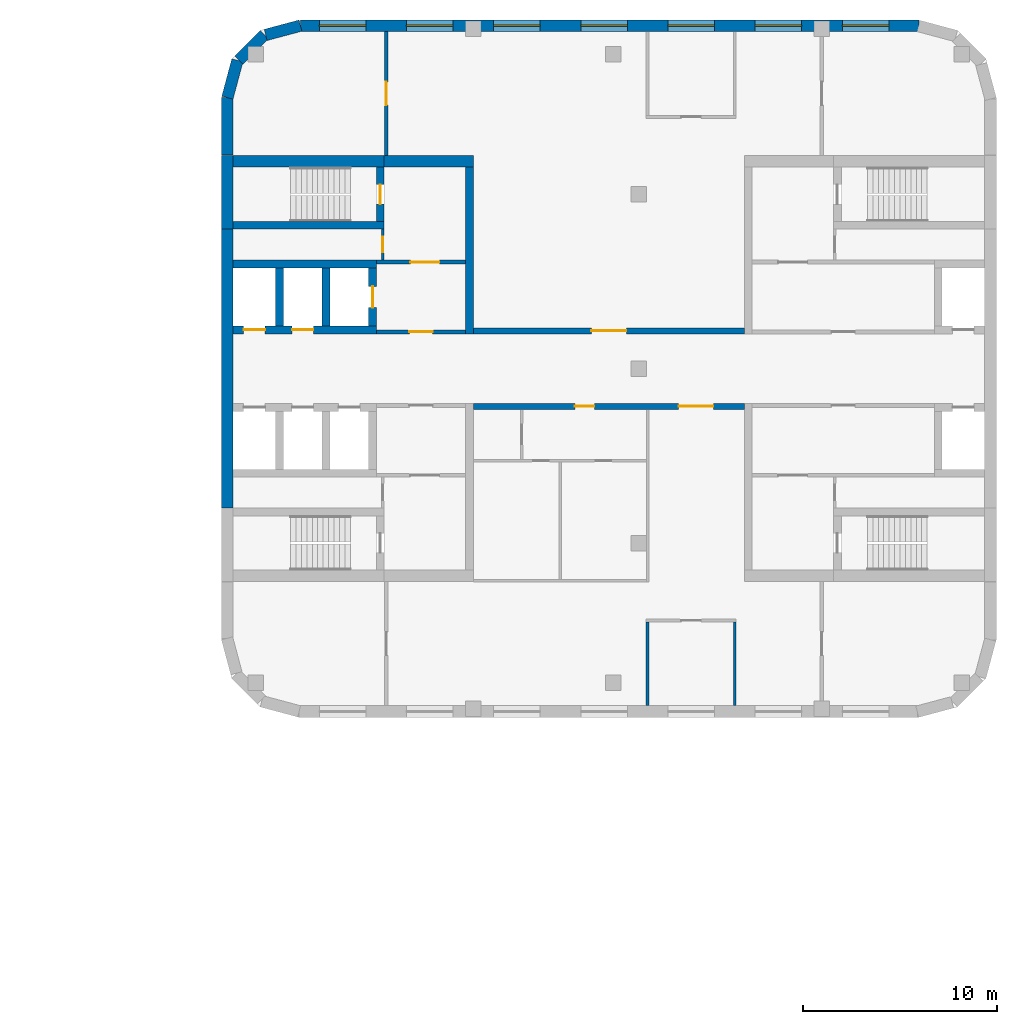
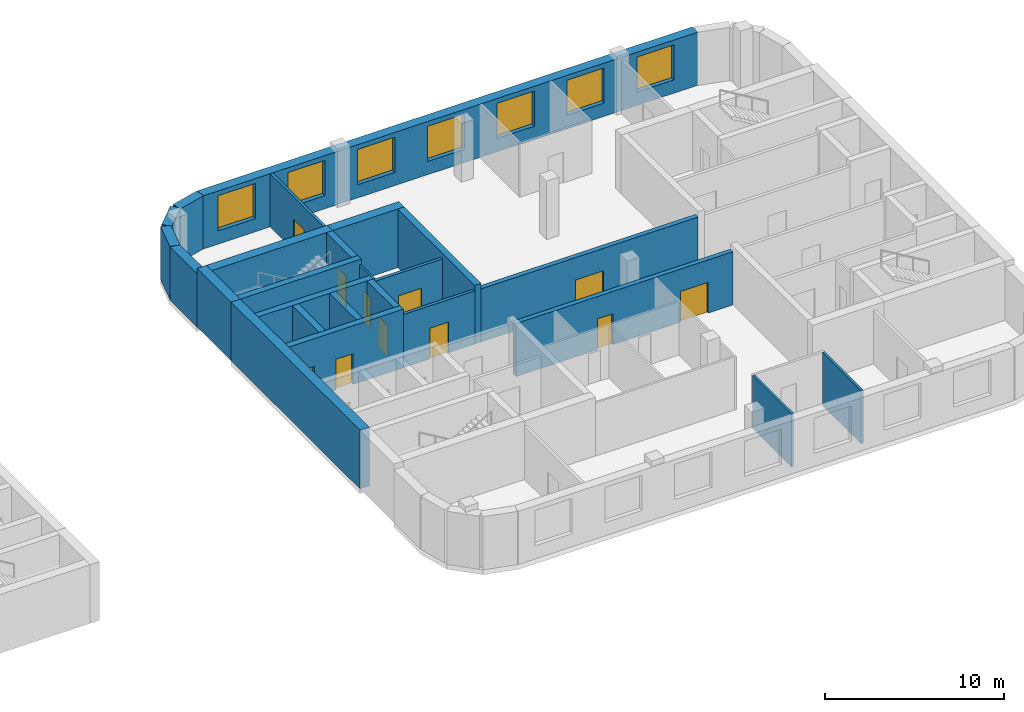
# One storey, part 8 of 12: 25 walls, 11 doors, 7 windows, 18 openings.
"""IFC4 building model written with IfcOpenShell, lengths in metres."""

from ifc_helpers import new_model, si_unit, direction, frame, frame_2d, origin, place, context, subcontext, project, spatial, rectangle, extrude, material, layer, layer_set, type_object, element, fill, save


model = new_model("IFC4")

# Units and contexts
model_context = context("Model", 3, precision=1e-05, world=origin(), true_north=direction((0.0, 1.0)))
body_context = subcontext(model_context, "Body", "Model", "MODEL_VIEW")
ifc_project = project(units=[si_unit("LENGTHUNIT", "METRE"), si_unit("AREAUNIT", "SQUARE_METRE"), si_unit("VOLUMEUNIT", "CUBIC_METRE"), si_unit("PLANEANGLEUNIT", "RADIAN"), si_unit("MASSUNIT", "GRAM", prefix="KILO")], contexts=[model_context])

# Site, building, storey
site_placement = place(None, origin())
site = spatial("IfcSite", under=ifc_project, at=site_placement, CompositionType="ELEMENT")
building_placement = place(site_placement, origin())
building = spatial("IfcBuilding", under=site, at=building_placement, Name="Skarvind Civic Tower", CompositionType="ELEMENT")
storey_placement = place(building_placement, frame((0.0, 0.0, 51.5)))
storey = spatial("IfcBuildingStorey", under=building, at=storey_placement, Name="L11", CompositionType="ELEMENT", Elevation=51.5)

# Wall, opening, door
ifc_material_1 = material(Name="Acoustic gypsum board on steel studs", Category="steel")
ifc_layer_1 = layer(ifc_material_1, 0.175048828125)
ifc_layer_set_1 = layer_set([ifc_layer_1], Name="ACOUSTIC MEETING-ROOM PARTITION 175")
wall_type_1 = type_object("IfcWallType", Name="ACOUSTIC MEETING-ROOM PARTITION 175", PredefinedType="PARTITIONING", material=ifc_layer_set_1)
wall_1_placement = place(storey_placement, frame((135.5, 145.39990234375, 0.0), z_axis=(0.0, 0.0, 1.0), x_axis=(0.0, -1.0, 0.0)))
wall_1 = element("IfcWall", 1, at=wall_1_placement, inside=storey, type_object=wall_type_1, Name="Partition 11.002", PredefinedType="PARTITIONING", context=body_context, shape_type="SweptSolid", body=[
    extrude(rectangle(XDim=6.39990234375, YDim=0.175048828125, at=frame_2d((3.199951171875, 0.0))), origin(), (0.0, 0.0, 1.0), 3.625),
])
opening_1_placement = place(wall_1_placement, frame((2.60009765625, 0.0, 0.0)))
opening_1 = element("IfcOpeningElement", 2, at=opening_1_placement, cuts=wall_1, Name="Opening L11-D103", PredefinedType="OPENING", context=body_context, shape_type="SweptSolid", body=[
    extrude(rectangle(XDim=1.199951171875, YDim=2.10009765625, at=frame_2d((0.60009765625, 1.050048828125))), frame((0.0, 0.097412109375, 0.0), z_axis=(0.0, -1.0, 0.0), x_axis=(1.0, 0.0, 0.0)), (0.0, 0.0, 1.0), 0.195068359375),
])
ifc_material_2 = material(Name="Timber door leaf", Category="wood")
door_type_1 = type_object("IfcDoorType", Name="DOOR 1200X2100 DOUBLE TIMBER", OperationType="NOTDEFINED", PredefinedType="DOOR", material=ifc_material_2)
door_1_placement = place(opening_1_placement, origin())
door_1 = element("IfcDoor", 3, at=door_1_placement, inside=storey, type_object=door_type_1, Name="Door L11-D103", OperationType="DOUBLE_DOOR_SINGLE_SWING", OverallHeight=2.10009765625, OverallWidth=1.199951171875, PredefinedType="DOOR", context=body_context, shape_type="SweptSolid", body=[
    extrude(rectangle(XDim=1.199951171875, YDim=2.10009765625, at=frame_2d((0.60009765625, 1.050048828125))), frame((0.0, 0.02490234375, 0.0), z_axis=(0.0, -1.0, 0.0), x_axis=(1.0, 0.0, 0.0)), (0.0, 0.0, 1.0), 0.050048828125),
])
fill(opening_1, door_1)

ifc_material_3 = material(Name="Fire-rated gypsum board on steel studs", Category="steel")
ifc_layer_2 = layer(ifc_material_3, 0.300048828125)
ifc_layer_set_2 = layer_set([ifc_layer_2], Name="CORRIDOR WALL 300")
wall_type_2 = type_object("IfcWallType", Name="CORRIDOR WALL 300", PredefinedType="PARTITIONING", material=ifc_layer_set_2)
wall_2_placement = place(storey_placement, frame((140.0, 129.949951171875, 0.0), z_axis=(0.0, 0.0, 1.0), x_axis=(1.0, 0.0, 0.0)))
wall_2 = element("IfcWall", 4, at=wall_2_placement, inside=storey, type_object=wall_type_2, Name="Partition 11.005", PredefinedType="PARTITIONING", context=body_context, shape_type="SweptSolid", body=[
    extrude(rectangle(XDim=14.0, YDim=0.300048828125, at=frame_2d((7.0, 0.0))), origin(), (0.0, 0.0, 1.0), 3.625),
])
opening_2_placement = place(wall_2_placement, frame((6.10009765625, 0.0, 0.0)))
opening_2 = element("IfcOpeningElement", 5, at=opening_2_placement, cuts=wall_2, Name="Opening L11-D101", PredefinedType="OPENING", context=body_context, shape_type="SweptSolid", body=[
    extrude(rectangle(XDim=1.800048828125, YDim=2.10009765625, at=frame_2d((0.89990234375, 1.050048828125))), frame((0.0, 0.159912109375, 0.0), z_axis=(0.0, -1.0, 0.0), x_axis=(1.0, 0.0, 0.0)), (0.0, 0.0, 1.0), 0.320068359375),
])
ifc_material_4 = material(Name="Fire-rated timber door leaf", Category="wood")
door_type_2 = type_object("IfcDoorType", Name="FD4 1800x2100", OperationType="NOTDEFINED", PredefinedType="DOOR", material=ifc_material_4)
door_2_placement = place(opening_2_placement, origin())
door_2 = element("IfcDoor", 6, at=door_2_placement, inside=storey, type_object=door_type_2, Name="Door L11-D101", OperationType="DOUBLE_DOOR_SINGLE_SWING", OverallHeight=2.10009765625, OverallWidth=1.800048828125, PredefinedType="DOOR", context=body_context, shape_type="SweptSolid", body=[
    extrude(rectangle(XDim=1.800048828125, YDim=2.10009765625, at=frame_2d((0.89990234375, 1.050048828125))), frame((0.0, 0.02490234375, 0.0), z_axis=(0.0, -1.0, 0.0), x_axis=(1.0, 0.0, 0.0)), (0.0, 0.0, 1.0), 0.050048828125),
])
fill(opening_2, door_2)

# Wall, openings, doors
wall_3_placement = place(storey_placement, frame((154.0, 126.050048828125, 0.0), z_axis=(0.0, 0.0, 1.0), x_axis=(-1.0, 0.0, 0.0)))
wall_3 = element("IfcWall", 7, at=wall_3_placement, inside=storey, type_object=wall_type_2, Name="Partition 11.015", PredefinedType="PARTITIONING", context=body_context, shape_type="SweptSolid", body=[
    extrude(rectangle(XDim=14.0, YDim=0.300048828125, at=frame_2d((7.0, 0.0))), origin(), (0.0, 0.0, 1.0), 3.625),
])
opening_3_placement = place(wall_3_placement, frame((7.75, 0.0, 0.0)))
opening_3 = element("IfcOpeningElement", 8, at=opening_3_placement, cuts=wall_3, Name="Opening L11-D105", PredefinedType="OPENING", context=body_context, shape_type="SweptSolid", body=[
    extrude(rectangle(XDim=1.0, YDim=2.10009765625, at=frame_2d((0.5, 1.050048828125))), frame((0.0, 0.159912109375, 0.0), z_axis=(0.0, -1.0, 0.0), x_axis=(1.0, 0.0, 0.0)), (0.0, 0.0, 1.0), 0.320068359375),
])
opening_4_placement = place(wall_3_placement, frame((1.60009765625, 0.0, 0.0)))
opening_4 = element("IfcOpeningElement", 9, at=opening_4_placement, cuts=wall_3, Name="Opening L11-D109", PredefinedType="OPENING", context=body_context, shape_type="SweptSolid", body=[
    extrude(rectangle(XDim=1.800048828125, YDim=2.10009765625, at=frame_2d((0.89990234375, 1.050048828125))), frame((0.0, 0.159912109375, 0.0), z_axis=(0.0, -1.0, 0.0), x_axis=(1.0, 0.0, 0.0)), (0.0, 0.0, 1.0), 0.320068359375),
])
door_type_3 = type_object("IfcDoorType", Name="FD1 1000x2100", OperationType="NOTDEFINED", PredefinedType="DOOR", material=ifc_material_4)
door_3_placement = place(opening_3_placement, origin())
door_3 = element("IfcDoor", 10, at=door_3_placement, inside=storey, type_object=door_type_3, Name="Door L11-D105", OperationType="SINGLE_SWING_RIGHT", OverallHeight=2.10009765625, OverallWidth=1.0, PredefinedType="DOOR", context=body_context, shape_type="SweptSolid", body=[
    extrude(rectangle(XDim=1.0, YDim=2.10009765625, at=frame_2d((0.5, 1.050048828125))), frame((0.0, 0.02490234375, 0.0), z_axis=(0.0, -1.0, 0.0), x_axis=(1.0, 0.0, 0.0)), (0.0, 0.0, 1.0), 0.050048828125),
])
fill(opening_3, door_3)
door_4_placement = place(opening_4_placement, origin())
door_4 = element("IfcDoor", 11, at=door_4_placement, inside=storey, type_object=door_type_2, Name="Door L11-D109", OperationType="DOUBLE_DOOR_SINGLE_SWING", OverallHeight=2.10009765625, OverallWidth=1.800048828125, PredefinedType="DOOR", context=body_context, shape_type="SweptSolid", body=[
    extrude(rectangle(XDim=1.800048828125, YDim=2.10009765625, at=frame_2d((0.89990234375, 1.050048828125))), frame((0.0, 0.02490234375, 0.0), z_axis=(0.0, -1.0, 0.0), x_axis=(1.0, 0.0, 0.0)), (0.0, 0.0, 1.0), 0.050048828125),
])
fill(opening_4, door_4)

# Wall, opening, door
ifc_material_5 = material(Name="Fire-rated masonry partition", Category="masonry")
ifc_layer_3 = layer(ifc_material_5, 0.199951171875)
ifc_layer_set_3 = layer_set([ifc_layer_3], Name="Core enclosure wall 200")
wall_type_3 = type_object("IfcWallType", Name="Core enclosure wall 200", PredefinedType="PARTITIONING", material=ifc_layer_set_3)
wall_4_placement = place(storey_placement, frame((135.0, 129.89990234375, 0.0), z_axis=(0.0, 0.0, 1.0), x_axis=(1.0, 0.0, 0.0)))
wall_4 = element("IfcWall", 12, at=wall_4_placement, inside=storey, type_object=wall_type_3, Name="Core wall CA", PredefinedType="PARTITIONING", context=body_context, shape_type="SweptSolid", body=[
    extrude(rectangle(XDim=4.60009765625, YDim=0.199951171875, at=frame_2d((2.300048828125, 0.0))), origin(), (0.0, 0.0, 1.0), 3.625),
])
opening_5_placement = place(wall_4_placement, frame((1.699951171875, 0.0, 0.0)))
opening_5 = element("IfcOpeningElement", 13, at=opening_5_placement, cuts=wall_4, Name="Opening D-L11-CA-06", PredefinedType="OPENING", context=body_context, shape_type="SweptSolid", body=[
    extrude(rectangle(XDim=1.199951171875, YDim=2.10009765625, at=frame_2d((0.60009765625, 1.050048828125))), frame((0.0, 0.10986328125, 0.0), z_axis=(0.0, -1.0, 0.0), x_axis=(1.0, 0.0, 0.0)), (0.0, 0.0, 1.0), 0.219970703125),
])
ifc_material_6 = material(Name="Fire-rated steel door", Category="steel")
door_type_4 = type_object("IfcDoorType", Name="Core lobby door 1200", OperationType="NOTDEFINED", PredefinedType="DOOR", material=ifc_material_6)
door_5_placement = place(opening_5_placement, origin())
door_5 = element("IfcDoor", 14, at=door_5_placement, inside=storey, type_object=door_type_4, Name="Fire door", OperationType="DOUBLE_DOOR_SINGLE_SWING", OverallHeight=2.10009765625, OverallWidth=1.199951171875, PredefinedType="DOOR", context=body_context, shape_type="SweptSolid", body=[
    extrude(rectangle(XDim=1.199951171875, YDim=2.10009765625, at=frame_2d((0.60009765625, 1.050048828125))), frame((0.0, 0.02490234375, 0.0), z_axis=(0.0, -1.0, 0.0), x_axis=(1.0, 0.0, 0.0)), (0.0, 0.0, 1.0), 0.050048828125),
])
fill(opening_5, door_5)

wall_5_placement = place(storey_placement, frame((135.0, 133.5, 0.0), z_axis=(0.0, 0.0, 1.0), x_axis=(1.0, 0.0, 0.0)))
wall_5 = element("IfcWall", 15, at=wall_5_placement, inside=storey, type_object=wall_type_3, Name="Core wall CA", PredefinedType="PARTITIONING", context=body_context, shape_type="SweptSolid", body=[
    extrude(rectangle(XDim=4.60009765625, YDim=0.199951171875, at=frame_2d((2.300048828125, 0.0))), origin(), (0.0, 0.0, 1.0), 3.625),
])
opening_6_placement = place(wall_5_placement, frame((1.75, 0.0, 0.0)))
opening_6 = element("IfcOpeningElement", 16, at=opening_6_placement, cuts=wall_5, Name="Opening D-L11-CA-07", PredefinedType="OPENING", context=body_context, shape_type="SweptSolid", body=[
    extrude(rectangle(XDim=1.5, YDim=2.10009765625, at=frame_2d((0.75, 1.050048828125))), frame((0.0, 0.10986328125, 0.0), z_axis=(0.0, -1.0, 0.0), x_axis=(1.0, 0.0, 0.0)), (0.0, 0.0, 1.0), 0.219970703125),
])
door_type_5 = type_object("IfcDoorType", Name="Fire door 1500", OperationType="NOTDEFINED", PredefinedType="DOOR", material=ifc_material_6)
door_6_placement = place(opening_6_placement, origin())
door_6 = element("IfcDoor", 17, at=door_6_placement, inside=storey, type_object=door_type_5, Name="Fire door", OperationType="DOUBLE_DOOR_SINGLE_SWING", OverallHeight=2.10009765625, OverallWidth=1.5, PredefinedType="DOOR", context=body_context, shape_type="SweptSolid", body=[
    extrude(rectangle(XDim=1.5, YDim=2.10009765625, at=frame_2d((0.75, 1.050048828125))), frame((0.0, 0.02490234375, 0.0), z_axis=(0.0, -1.0, 0.0), x_axis=(1.0, 0.0, 0.0)), (0.0, 0.0, 1.0), 0.050048828125),
])
fill(opening_6, door_6)

# Wall
ifc_material_7 = material(Name="Concrete C80", Category="concrete")
ifc_layer_4 = layer(ifc_material_7, 0.39990234375)
ifc_layer_set_4 = layer_set([ifc_layer_4], Name="Core wall 400 C80")
wall_type_4 = type_object("IfcWallType", Name="Core wall 400 C80", PredefinedType="SHEAR", material=ifc_layer_set_4)
wall_6_placement = place(storey_placement, frame((127.60009765625, 135.39990234375, 0.0), z_axis=(0.0, 0.0, 1.0), x_axis=(1.0, 0.0, 0.0)))
element("IfcWall", 18, at=wall_6_placement, inside=storey, type_object=wall_type_4, Name="Core wall CA north stair inner L11", PredefinedType="SHEAR", context=body_context, shape_type="SweptSolid", body=[
    extrude(rectangle(XDim=7.7998046875, YDim=0.39990234375, at=frame_2d((3.89990234375, 0.0))), origin(), (0.0, 0.0, 1.0), 4.0),
])

# Wall, opening, door
wall_7_placement = place(storey_placement, frame((135.199951171875, 135.60009765625, 0.0), z_axis=(0.0, 0.0, 1.0), x_axis=(0.0, 1.0, 0.0)))
wall_7 = element("IfcWall", 19, at=wall_7_placement, inside=storey, type_object=wall_type_4, Name="Core wall CA north stair end L11", PredefinedType="SHEAR", context=body_context, shape_type="SweptSolid", body=[
    extrude(rectangle(XDim=2.7998046875, YDim=0.39990234375, at=frame_2d((1.39990234375, 0.0))), origin(), (0.0, 0.0, 1.0), 4.0),
])
opening_7_placement = place(wall_7_placement, frame((0.89990234375, 0.0, 0.0)))
opening_7 = element("IfcOpeningElement", 20, at=opening_7_placement, cuts=wall_7, Name="Opening D-L11-CA-08", PredefinedType="OPENING", context=body_context, shape_type="SweptSolid", body=[
    extrude(rectangle(XDim=1.0, YDim=2.10009765625, at=frame_2d((0.5, 1.050048828125))), frame((0.0, 0.2099609375, 0.0), z_axis=(0.0, -1.0, 0.0), x_axis=(1.0, 0.0, 0.0)), (0.0, 0.0, 1.0), 0.419921875),
])
door_type_6 = type_object("IfcDoorType", Name="Fire door 1000", OperationType="NOTDEFINED", PredefinedType="DOOR", material=ifc_material_6)
door_7_placement = place(opening_7_placement, origin())
door_7 = element("IfcDoor", 21, at=door_7_placement, inside=storey, type_object=door_type_6, Name="Fire door", OperationType="SINGLE_SWING_LEFT", OverallHeight=2.10009765625, OverallWidth=1.0, PredefinedType="DOOR", context=body_context, shape_type="SweptSolid", body=[
    extrude(rectangle(XDim=1.0, YDim=2.10009765625, at=frame_2d((0.5, 1.050048828125))), frame((0.0, 0.02490234375, 0.0), z_axis=(0.0, -1.0, 0.0), x_axis=(1.0, 0.0, 0.0)), (0.0, 0.0, 1.0), 0.050048828125),
])
fill(opening_7, door_7)

# Wall, openings, doors
wall_8_placement = place(storey_placement, frame((127.60009765625, 130.0, 0.0), z_axis=(0.0, 0.0, 1.0), x_axis=(1.0, 0.0, 0.0)))
wall_8 = element("IfcWall", 22, at=wall_8_placement, inside=storey, type_object=wall_type_4, Name="Core wall CA north lift row front L11", PredefinedType="SHEAR", context=body_context, shape_type="SweptSolid", body=[
    extrude(rectangle(XDim=7.39990234375, YDim=0.39990234375, at=frame_2d((3.699951171875, 0.0))), origin(), (0.0, 0.0, 1.0), 4.0),
])
opening_8_placement = place(wall_8_placement, frame((0.550048828125, 0.0, 0.0)))
opening_8 = element("IfcOpeningElement", 23, at=opening_8_placement, cuts=wall_8, Name="Opening LD13301", PredefinedType="OPENING", context=body_context, shape_type="SweptSolid", body=[
    extrude(rectangle(XDim=1.10009765625, YDim=2.10009765625, at=frame_2d((0.550048828125, 1.050048828125))), frame((0.0, 0.2099609375, 0.0), z_axis=(0.0, -1.0, 0.0), x_axis=(1.0, 0.0, 0.0)), (0.0, 0.0, 1.0), 0.419921875),
])
opening_9_placement = place(wall_8_placement, frame((3.050048828125, 0.0, 0.0)))
opening_9 = element("IfcOpeningElement", 24, at=opening_9_placement, cuts=wall_8, Name="Opening LD13302", PredefinedType="OPENING", context=body_context, shape_type="SweptSolid", body=[
    extrude(rectangle(XDim=1.10009765625, YDim=2.10009765625, at=frame_2d((0.550048828125, 1.050048828125))), frame((0.0, 0.2099609375, 0.0), z_axis=(0.0, -1.0, 0.0), x_axis=(1.0, 0.0, 0.0)), (0.0, 0.0, 1.0), 0.419921875),
])
ifc_material_8 = material(Name="Stainless steel landing door", Category="steel")
door_type_7 = type_object("IfcDoorType", Name="Lift landing door 1100", OperationType="DOUBLE_DOOR_SLIDING", PredefinedType="DOOR", material=ifc_material_8)
door_8_placement = place(opening_8_placement, origin())
door_8 = element("IfcDoor", 25, at=door_8_placement, inside=storey, type_object=door_type_7, Name="Lift landing door", OperationType="DOUBLE_DOOR_SLIDING", OverallHeight=2.10009765625, OverallWidth=1.10009765625, PredefinedType="DOOR", context=body_context, shape_type="SweptSolid", body=[
    extrude(rectangle(XDim=1.10009765625, YDim=2.10009765625, at=frame_2d((0.550048828125, 1.050048828125))), frame((0.0, 0.02490234375, 0.0), z_axis=(0.0, -1.0, 0.0), x_axis=(1.0, 0.0, 0.0)), (0.0, 0.0, 1.0), 0.050048828125),
])
fill(opening_8, door_8)
door_9_placement = place(opening_9_placement, origin())
door_9 = element("IfcDoor", 26, at=door_9_placement, inside=storey, type_object=door_type_7, Name="Lift landing door", OperationType="DOUBLE_DOOR_SLIDING", OverallHeight=2.10009765625, OverallWidth=1.10009765625, PredefinedType="DOOR", context=body_context, shape_type="SweptSolid", body=[
    extrude(rectangle(XDim=1.10009765625, YDim=2.10009765625, at=frame_2d((0.550048828125, 1.050048828125))), frame((0.0, 0.02490234375, 0.0), z_axis=(0.0, -1.0, 0.0), x_axis=(1.0, 0.0, 0.0)), (0.0, 0.0, 1.0), 0.050048828125),
])
fill(opening_9, door_9)

# Walls
wall_9_placement = place(storey_placement, frame((127.60009765625, 133.39990234375, 0.0), z_axis=(0.0, 0.0, 1.0), x_axis=(1.0, 0.0, 0.0)))
element("IfcWall", 27, at=wall_9_placement, inside=storey, type_object=wall_type_4, Name="Core wall CA north lift row back L11", PredefinedType="SHEAR", context=body_context, shape_type="SweptSolid", body=[
    extrude(rectangle(XDim=7.39990234375, YDim=0.39990234375, at=frame_2d((3.699951171875, 0.0))), origin(), (0.0, 0.0, 1.0), 4.0),
])
for number, where, z_axis, x_axis, name in (
    (28, (130.0, 130.199951171875, 0.0), (0.0, 0.0, 1.0), (0.0, 1.0, 0.0), "Core wall CA north lift row division 1 L11"),
    (29, (132.39990234375, 130.199951171875, 0.0), (0.0, 0.0, 1.0), (0.0, 1.0, 0.0), "Core wall CA north lift row division 2 L11"),
):
    element("IfcWall", number, at=place(storey_placement, frame(where, z_axis=z_axis, x_axis=x_axis)), inside=storey, type_object=wall_type_4, Name=name, PredefinedType="SHEAR", context=body_context, shape_type="SweptSolid", body=[
        extrude(rectangle(XDim=3.0, YDim=0.39990234375, at=frame_2d((1.5, 0.0))), origin(), (0.0, 0.0, 1.0), 4.0),
    ])

# Wall, opening, door
wall_10_placement = place(storey_placement, frame((134.800048828125, 130.199951171875, 0.0), z_axis=(0.0, 0.0, 1.0), x_axis=(0.0, 1.0, 0.0)))
wall_10 = element("IfcWall", 30, at=wall_10_placement, inside=storey, type_object=wall_type_4, Name="Core wall CA north lift row division 3 L11", PredefinedType="SHEAR", context=body_context, shape_type="SweptSolid", body=[
    extrude(rectangle(XDim=3.0, YDim=0.39990234375, at=frame_2d((1.5, 0.0))), origin(), (0.0, 0.0, 1.0), 4.0),
])
opening_10_placement = place(wall_10_placement, frame((0.949951171875, 0.0, 0.0)))
opening_10 = element("IfcOpeningElement", 31, at=opening_10_placement, cuts=wall_10, Name="Opening LD13303", PredefinedType="OPENING", context=body_context, shape_type="SweptSolid", body=[
    extrude(rectangle(XDim=1.10009765625, YDim=2.10009765625, at=frame_2d((0.550048828125, 1.050048828125))), frame((0.0, 0.2099609375, 0.0), z_axis=(0.0, -1.0, 0.0), x_axis=(1.0, 0.0, 0.0)), (0.0, 0.0, 1.0), 0.419921875),
])
door_10_placement = place(opening_10_placement, origin())
door_10 = element("IfcDoor", 32, at=door_10_placement, inside=storey, type_object=door_type_7, Name="Lift landing door", OperationType="DOUBLE_DOOR_SLIDING", OverallHeight=2.10009765625, OverallWidth=1.10009765625, PredefinedType="DOOR", context=body_context, shape_type="SweptSolid", body=[
    extrude(rectangle(XDim=1.10009765625, YDim=2.10009765625, at=frame_2d((0.550048828125, 1.050048828125))), frame((0.0, 0.02490234375, 0.0), z_axis=(0.0, -1.0, 0.0), x_axis=(1.0, 0.0, 0.0)), (0.0, 0.0, 1.0), 0.050048828125),
])
fill(opening_10, door_10)

# Walls
wall_11_placement = place(storey_placement, frame((139.800048828125, 129.800048828125, 0.0), z_axis=(0.0, 0.0, 1.0), x_axis=(0.0, 1.0, 0.0)))
element("IfcWall", 33, at=wall_11_placement, inside=storey, type_object=wall_type_4, Name="Core wall CA north inner face L11", PredefinedType="SHEAR", context=body_context, shape_type="SweptSolid", body=[
    extrude(rectangle(XDim=8.599853515625, YDim=0.39990234375, at=frame_2d((4.2998046875, 0.0))), origin(), (0.0, 0.0, 1.0), 4.0),
])
ifc_layer_5 = layer(ifc_material_7, 0.60009765625)
ifc_layer_set_5 = layer_set([ifc_layer_5], Name="Core wall 600 C80")
wall_type_5 = type_object("IfcWallType", Name="Core wall 600 C80", PredefinedType="SHEAR", material=ifc_layer_set_5)
wall_12_placement = place(storey_placement, frame((127.300048828125, 120.800048828125, 0.0), z_axis=(0.0, 0.0, 1.0), x_axis=(0.0, 1.0, 0.0)))
element("IfcWall", 34, at=wall_12_placement, inside=storey, type_object=wall_type_5, Name="Core wall CA tip between the stairs L11", PredefinedType="SHEAR", context=body_context, shape_type="SweptSolid", body=[
    extrude(rectangle(XDim=14.39990234375, YDim=0.60009765625, at=frame_2d((7.199951171875, 0.0))), origin(), (0.0, 0.0, 1.0), 4.0),
])
wall_13_placement = place(storey_placement, frame((127.300048828125, 135.199951171875, 0.0), z_axis=(0.0, 0.0, 1.0), x_axis=(0.0, 1.0, 0.0)))
element("IfcWall", 35, at=wall_13_placement, inside=storey, type_object=wall_type_5, Name="Core wall CA tip at the north stair L11", PredefinedType="SHEAR", context=body_context, shape_type="SweptSolid", body=[
    extrude(rectangle(XDim=3.800048828125, YDim=0.60009765625, at=frame_2d((1.89990234375, 0.0))), origin(), (0.0, 0.0, 1.0), 4.0),
])
wall_14_placement = place(storey_placement, frame((127.60009765625, 138.699951171875, 0.0), z_axis=(0.0, 0.0, 1.0), x_axis=(1.0, 0.0, 0.0)))
element("IfcWall", 36, at=wall_14_placement, inside=storey, type_object=wall_type_5, Name="Core wall CA north side at the stair L11", PredefinedType="SHEAR", context=body_context, shape_type="SweptSolid", body=[
    extrude(rectangle(XDim=7.7998046875, YDim=0.60009765625, at=frame_2d((3.89990234375, 0.0))), origin(), (0.0, 0.0, 1.0), 4.0),
])
wall_15_placement = place(storey_placement, frame((135.39990234375, 138.699951171875, 0.0), z_axis=(0.0, 0.0, 1.0), x_axis=(1.0, 0.0, 0.0)))
element("IfcWall", 37, at=wall_15_placement, inside=storey, type_object=wall_type_5, Name="Core wall CA north side L11", PredefinedType="SHEAR", context=body_context, shape_type="SweptSolid", body=[
    extrude(rectangle(XDim=4.60009765625, YDim=0.60009765625, at=frame_2d((2.300048828125, 0.0))), origin(), (0.0, 0.0, 1.0), 4.0),
])
ifc_material_9 = material(Name="Plasterboard partition on steel studs", Category="steel")
ifc_layer_6 = layer(ifc_material_9, 0.14990234375)
ifc_layer_set_6 = layer_set([ifc_layer_6], Name="PARTITION 150")
wall_type_6 = type_object("IfcWallType", Name="PARTITION 150", PredefinedType="PARTITIONING", material=ifc_layer_set_6)
for number, where, z_axis, x_axis, name in (
    (38, (149.0, 110.60009765625, 0.0), (0.0, 0.0, 1.0), (0.0, 1.0, 0.0), "Partition 11.008"),
    (39, (153.5, 114.925048828125, 0.0), (0.0, 0.0, 1.0), (0.0, -1.0, 0.0), "Partition 11.012"),
):
    element("IfcWall", number, at=place(storey_placement, frame(where, z_axis=z_axis, x_axis=x_axis)), inside=storey, type_object=wall_type_6, Name=name, PredefinedType="PARTITIONING", context=body_context, shape_type="SweptSolid", body=[
        extrude(rectangle(XDim=4.324951171875, YDim=0.14990234375, at=frame_2d((2.16259765625, 0.0))), origin(), (0.0, 0.0, 1.0), 3.625),
    ])

# Wall, opening, door
ifc_layer_7 = layer(ifc_material_5, 0.125)
ifc_layer_set_7 = layer_set([ifc_layer_7], Name="Riser wall 125")
wall_type_7 = type_object("IfcWallType", Name="Riser wall 125", PredefinedType="PARTITIONING", material=ifc_layer_set_7)
wall_16_placement = place(storey_placement, frame((135.33740234375, 135.199951171875, 0.0), z_axis=(0.0, 0.0, 1.0), x_axis=(0.0, -1.0, 0.0)))
wall_16 = element("IfcWall", 40, at=wall_16_placement, inside=storey, type_object=wall_type_7, Name="Core wall CA", PredefinedType="PARTITIONING", context=body_context, shape_type="SweptSolid", body=[
    extrude(rectangle(XDim=1.599853515625, YDim=0.125, at=frame_2d((0.7998046875, 0.0))), origin(), (0.0, 0.0, 1.0), 3.625),
])
opening_11_placement = place(wall_16_placement, frame((0.39990234375, 0.0, 0.0)))
opening_11 = element("IfcOpeningElement", 41, at=opening_11_placement, cuts=wall_16, Name="Opening D-L11-CA-09", PredefinedType="OPENING", context=body_context, shape_type="SweptSolid", body=[
    extrude(rectangle(XDim=0.800048828125, YDim=2.10009765625, at=frame_2d((0.39990234375, 1.050048828125))), frame((0.0, 0.072509765625, 0.0), z_axis=(0.0, -1.0, 0.0), x_axis=(1.0, 0.0, 0.0)), (0.0, 0.0, 1.0), 0.14501953125),
])
door_type_8 = type_object("IfcDoorType", Name="Core riser door 800", OperationType="NOTDEFINED", PredefinedType="DOOR", material=ifc_material_6)
door_11_placement = place(opening_11_placement, origin())
door_11 = element("IfcDoor", 42, at=door_11_placement, inside=storey, type_object=door_type_8, Name="Riser door", OperationType="SINGLE_SWING_RIGHT", OverallHeight=2.10009765625, OverallWidth=0.800048828125, PredefinedType="DOOR", context=body_context, shape_type="SweptSolid", body=[
    extrude(rectangle(XDim=0.800048828125, YDim=2.10009765625, at=frame_2d((0.39990234375, 1.050048828125))), frame((0.0, 0.02490234375, 0.0), z_axis=(0.0, -1.0, 0.0), x_axis=(1.0, 0.0, 0.0)), (0.0, 0.0, 1.0), 0.050048828125),
])
fill(opening_11, door_11)

# Wall, openings, windows
ifc_material_10 = material(Name="Limestone masonry cladding on insulated backing", Category="masonry")
ifc_layer_8 = layer(ifc_material_10, 0.60009765625)
ifc_layer_set_8 = layer_set([ifc_layer_8], Name="WX1 STONE FACADE WALL 600")
wall_type_8 = type_object("IfcWallType", Name="WX1 STONE FACADE WALL 600", PredefinedType="SOLIDWALL", material=ifc_layer_set_8)
wall_17_placement = place(storey_placement, frame((131.070068359375, 145.699951171875, 0.0), z_axis=(0.0, 0.0, 1.0), x_axis=(1.0, 0.0, 0.0)))
wall_17 = element("IfcWall", 43, at=wall_17_placement, inside=storey, type_object=wall_type_8, Name="STONE FACADE WALL", PredefinedType="SOLIDWALL", context=body_context, shape_type="SweptSolid", body=[
    extrude(rectangle(XDim=31.929931640625, YDim=0.60009765625, at=frame_2d((15.96484375, 0.0))), origin(), (0.0, 0.0, 1.0), 3.625),
])
opening_12_placement = place(wall_17_placement, frame((0.97998046875, 0.0, 0.89990234375)))
opening_12 = element("IfcOpeningElement", 44, at=opening_12_placement, cuts=wall_17, Name="Opening WN9", PredefinedType="OPENING", context=body_context, shape_type="SweptSolid", body=[
    extrude(rectangle(XDim=2.39990234375, YDim=2.39990234375, at=frame_2d((1.199951171875, 1.199951171875))), frame((0.0, 0.31005859375, 0.0), z_axis=(0.0, -1.0, 0.0), x_axis=(1.0, 0.0, 0.0)), (0.0, 0.0, 1.0), 0.6201171875),
])
opening_13_placement = place(wall_17_placement, frame((5.47998046875, 0.0, 0.89990234375)))
opening_13 = element("IfcOpeningElement", 45, at=opening_13_placement, cuts=wall_17, Name="Opening WN9", PredefinedType="OPENING", context=body_context, shape_type="SweptSolid", body=[
    extrude(rectangle(XDim=2.39990234375, YDim=2.39990234375, at=frame_2d((1.199951171875, 1.199951171875))), frame((0.0, 0.31005859375, 0.0), z_axis=(0.0, -1.0, 0.0), x_axis=(1.0, 0.0, 0.0)), (0.0, 0.0, 1.0), 0.6201171875),
])
opening_14_placement = place(wall_17_placement, frame((9.97998046875, 0.0, 0.89990234375)))
opening_14 = element("IfcOpeningElement", 46, at=opening_14_placement, cuts=wall_17, Name="Opening WN9", PredefinedType="OPENING", context=body_context, shape_type="SweptSolid", body=[
    extrude(rectangle(XDim=2.39990234375, YDim=2.39990234375, at=frame_2d((1.199951171875, 1.199951171875))), frame((0.0, 0.31005859375, 0.0), z_axis=(0.0, -1.0, 0.0), x_axis=(1.0, 0.0, 0.0)), (0.0, 0.0, 1.0), 0.6201171875),
])
opening_15_placement = place(wall_17_placement, frame((14.47998046875, 0.0, 0.89990234375)))
opening_15 = element("IfcOpeningElement", 47, at=opening_15_placement, cuts=wall_17, Name="Opening WN9", PredefinedType="OPENING", context=body_context, shape_type="SweptSolid", body=[
    extrude(rectangle(XDim=2.39990234375, YDim=2.39990234375, at=frame_2d((1.199951171875, 1.199951171875))), frame((0.0, 0.31005859375, 0.0), z_axis=(0.0, -1.0, 0.0), x_axis=(1.0, 0.0, 0.0)), (0.0, 0.0, 1.0), 0.6201171875),
])
opening_16_placement = place(wall_17_placement, frame((18.97998046875, 0.0, 0.89990234375)))
opening_16 = element("IfcOpeningElement", 48, at=opening_16_placement, cuts=wall_17, Name="Opening WN9", PredefinedType="OPENING", context=body_context, shape_type="SweptSolid", body=[
    extrude(rectangle(XDim=2.39990234375, YDim=2.39990234375, at=frame_2d((1.199951171875, 1.199951171875))), frame((0.0, 0.31005859375, 0.0), z_axis=(0.0, -1.0, 0.0), x_axis=(1.0, 0.0, 0.0)), (0.0, 0.0, 1.0), 0.6201171875),
])
opening_17_placement = place(wall_17_placement, frame((23.47998046875, 0.0, 0.89990234375)))
opening_17 = element("IfcOpeningElement", 49, at=opening_17_placement, cuts=wall_17, Name="Opening WN9", PredefinedType="OPENING", context=body_context, shape_type="SweptSolid", body=[
    extrude(rectangle(XDim=2.39990234375, YDim=2.39990234375, at=frame_2d((1.199951171875, 1.199951171875))), frame((0.0, 0.31005859375, 0.0), z_axis=(0.0, -1.0, 0.0), x_axis=(1.0, 0.0, 0.0)), (0.0, 0.0, 1.0), 0.6201171875),
])
opening_18_placement = place(wall_17_placement, frame((27.97998046875, 0.0, 0.89990234375)))
opening_18 = element("IfcOpeningElement", 50, at=opening_18_placement, cuts=wall_17, Name="Opening WN9", PredefinedType="OPENING", context=body_context, shape_type="SweptSolid", body=[
    extrude(rectangle(XDim=2.39990234375, YDim=2.39990234375, at=frame_2d((1.199951171875, 1.199951171875))), frame((0.0, 0.31005859375, 0.0), z_axis=(0.0, -1.0, 0.0), x_axis=(1.0, 0.0, 0.0)), (0.0, 0.0, 1.0), 0.6201171875),
])
ifc_material_11 = material(Name="Timber frame, double glazing, timber-lined reveal", Category="wood")
window_type = type_object("IfcWindowType", Name="WN9 COMPANION TOWER WINDOW 2400 x 2400", PartitioningType="SINGLE_PANEL", PredefinedType="WINDOW", material=ifc_material_11)
window_1_placement = place(opening_12_placement, origin())
window_1 = element("IfcWindow", 51, at=window_1_placement, inside=storey, type_object=window_type, Name="WN9 WINDOW", OverallHeight=2.39990234375, OverallWidth=2.39990234375, PartitioningType="SINGLE_PANEL", PredefinedType="WINDOW", context=body_context, shape_type="SweptSolid", body=[
    extrude(rectangle(XDim=2.39990234375, YDim=2.39990234375, at=frame_2d((1.199951171875, 1.199951171875))), frame((0.0, 0.030029296875, 0.0), z_axis=(0.0, -1.0, 0.0), x_axis=(1.0, 0.0, 0.0)), (0.0, 0.0, 1.0), 0.06005859375),
])
fill(opening_12, window_1)
window_2_placement = place(opening_13_placement, origin())
window_2 = element("IfcWindow", 52, at=window_2_placement, inside=storey, type_object=window_type, Name="WN9 WINDOW", OverallHeight=2.39990234375, OverallWidth=2.39990234375, PartitioningType="SINGLE_PANEL", PredefinedType="WINDOW", context=body_context, shape_type="SweptSolid", body=[
    extrude(rectangle(XDim=2.39990234375, YDim=2.39990234375, at=frame_2d((1.199951171875, 1.199951171875))), frame((0.0, 0.030029296875, 0.0), z_axis=(0.0, -1.0, 0.0), x_axis=(1.0, 0.0, 0.0)), (0.0, 0.0, 1.0), 0.06005859375),
])
fill(opening_13, window_2)
window_3_placement = place(opening_14_placement, origin())
window_3 = element("IfcWindow", 53, at=window_3_placement, inside=storey, type_object=window_type, Name="WN9 WINDOW", OverallHeight=2.39990234375, OverallWidth=2.39990234375, PartitioningType="SINGLE_PANEL", PredefinedType="WINDOW", context=body_context, shape_type="SweptSolid", body=[
    extrude(rectangle(XDim=2.39990234375, YDim=2.39990234375, at=frame_2d((1.199951171875, 1.199951171875))), frame((0.0, 0.030029296875, 0.0), z_axis=(0.0, -1.0, 0.0), x_axis=(1.0, 0.0, 0.0)), (0.0, 0.0, 1.0), 0.06005859375),
])
fill(opening_14, window_3)
window_4_placement = place(opening_15_placement, origin())
window_4 = element("IfcWindow", 54, at=window_4_placement, inside=storey, type_object=window_type, Name="WN9 WINDOW", OverallHeight=2.39990234375, OverallWidth=2.39990234375, PartitioningType="SINGLE_PANEL", PredefinedType="WINDOW", context=body_context, shape_type="SweptSolid", body=[
    extrude(rectangle(XDim=2.39990234375, YDim=2.39990234375, at=frame_2d((1.199951171875, 1.199951171875))), frame((0.0, 0.030029296875, 0.0), z_axis=(0.0, -1.0, 0.0), x_axis=(1.0, 0.0, 0.0)), (0.0, 0.0, 1.0), 0.06005859375),
])
fill(opening_15, window_4)
window_5_placement = place(opening_16_placement, origin())
window_5 = element("IfcWindow", 55, at=window_5_placement, inside=storey, type_object=window_type, Name="WN9 WINDOW", OverallHeight=2.39990234375, OverallWidth=2.39990234375, PartitioningType="SINGLE_PANEL", PredefinedType="WINDOW", context=body_context, shape_type="SweptSolid", body=[
    extrude(rectangle(XDim=2.39990234375, YDim=2.39990234375, at=frame_2d((1.199951171875, 1.199951171875))), frame((0.0, 0.030029296875, 0.0), z_axis=(0.0, -1.0, 0.0), x_axis=(1.0, 0.0, 0.0)), (0.0, 0.0, 1.0), 0.06005859375),
])
fill(opening_16, window_5)
window_6_placement = place(opening_17_placement, origin())
window_6 = element("IfcWindow", 56, at=window_6_placement, inside=storey, type_object=window_type, Name="WN9 WINDOW", OverallHeight=2.39990234375, OverallWidth=2.39990234375, PartitioningType="SINGLE_PANEL", PredefinedType="WINDOW", context=body_context, shape_type="SweptSolid", body=[
    extrude(rectangle(XDim=2.39990234375, YDim=2.39990234375, at=frame_2d((1.199951171875, 1.199951171875))), frame((0.0, 0.030029296875, 0.0), z_axis=(0.0, -1.0, 0.0), x_axis=(1.0, 0.0, 0.0)), (0.0, 0.0, 1.0), 0.06005859375),
])
fill(opening_17, window_6)
window_7_placement = place(opening_18_placement, origin())
window_7 = element("IfcWindow", 57, at=window_7_placement, inside=storey, type_object=window_type, Name="WN9 WINDOW", OverallHeight=2.39990234375, OverallWidth=2.39990234375, PartitioningType="SINGLE_PANEL", PredefinedType="WINDOW", context=body_context, shape_type="SweptSolid", body=[
    extrude(rectangle(XDim=2.39990234375, YDim=2.39990234375, at=frame_2d((1.199951171875, 1.199951171875))), frame((0.0, 0.030029296875, 0.0), z_axis=(0.0, -1.0, 0.0), x_axis=(1.0, 0.0, 0.0)), (0.0, 0.0, 1.0), 0.06005859375),
])
fill(opening_18, window_7)

# Walls
for number, where, z_axis, x_axis, name in (
    (58, (129.280517578125, 145.228759765625, 0.0), (0.0, 0.0, 1.0), (0.965938094805, 0.258773254036, 0.0), "STONE FACADE WALL"),
    (59, (127.896484375, 143.936279296875, 0.0), (0.0, 0.0, 1.0), (0.707106781187, 0.707106781187, 0.0), "STONE FACADE WALL"),
):
    element("IfcWall", number, at=place(storey_placement, frame(where, z_axis=z_axis, x_axis=x_axis)), inside=storey, type_object=wall_type_8, Name=name, PredefinedType="SOLIDWALL", context=body_context, shape_type="SweptSolid", body=[
        extrude(rectangle(XDim=1.860595703125, YDim=0.60009765625, at=frame_2d((0.93017578125, 0.0))), origin(), (0.0, 0.0, 1.0), 3.625),
    ])
wall_18_placement = place(storey_placement, frame((127.307861328125, 141.989990234375, 0.0), z_axis=(0.0, 0.0, 1.0), x_axis=(0.258839784042, 0.965920269068, 0.0)))
element("IfcWall", 60, at=wall_18_placement, inside=storey, type_object=wall_type_8, Name="STONE FACADE WALL", PredefinedType="SOLIDWALL", context=body_context, shape_type="SweptSolid", body=[
    extrude(rectangle(XDim=2.00048828125, YDim=0.60009765625, at=frame_2d((1.000244140625, 0.0))), origin(), (0.0, 0.0, 1.0), 3.625),
])
wall_19_placement = place(storey_placement, frame((127.300048828125, 139.02001953125, 0.0), z_axis=(0.0, 0.0, 1.0), x_axis=(0.0, 1.0, 0.0)))
element("IfcWall", 61, at=wall_19_placement, inside=storey, type_object=wall_type_8, Name="STONE FACADE WALL", PredefinedType="SOLIDWALL", context=body_context, shape_type="SweptSolid", body=[
    extrude(rectangle(XDim=2.97998046875, YDim=0.60009765625, at=frame_2d((1.489990234375, 0.0))), origin(), (0.0, 0.0, 1.0), 3.625),
])

save(model, "model.ifc")
